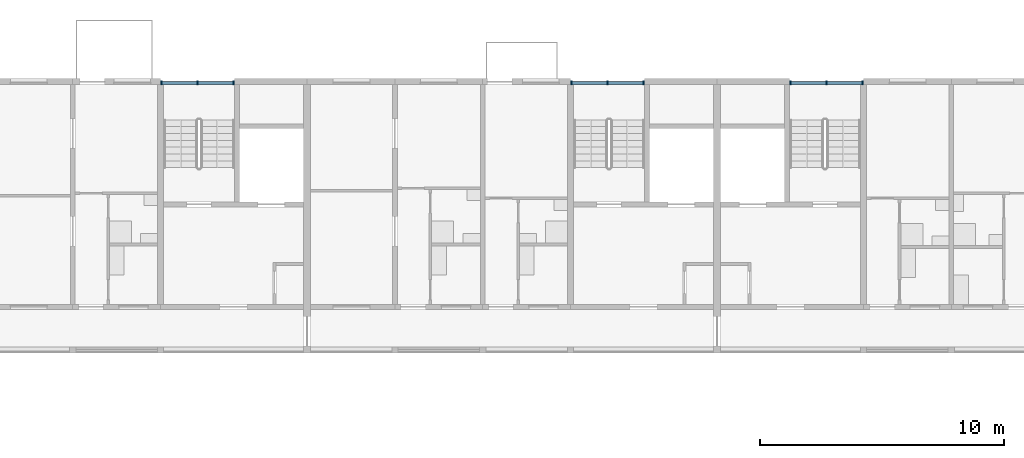
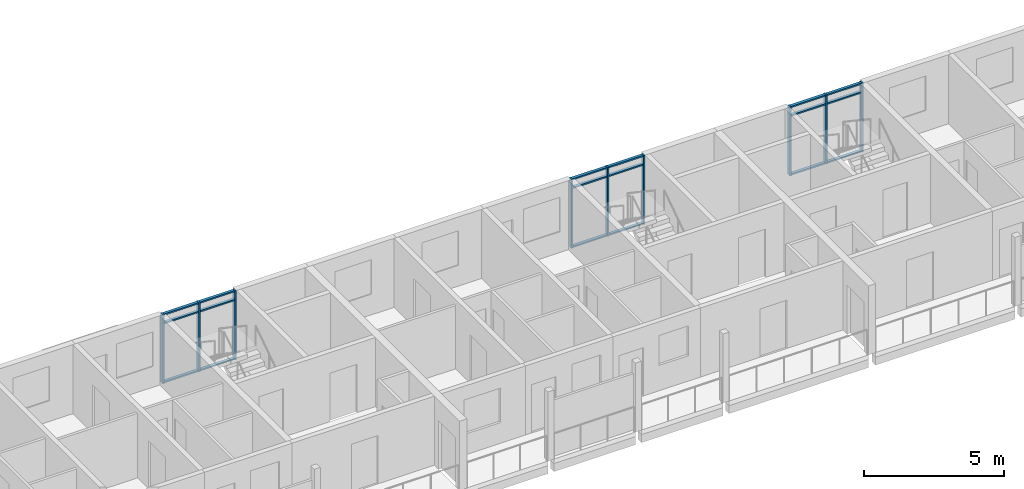
# One storey, part 19 of 93: 27 members, 3 elements without a shape of their own.
"""IFC4 building model written with IfcOpenShell, lengths in metres."""

from ifc_helpers import new_model, si_unit, direction, frame, origin, origin_2d, place, context, subcontext, project, spatial, rectangle, extrude, material, material_profile, profile_set, type_object, element, aggregate, save


model = new_model("IFC4")

# Units and contexts
model_context = context("Model", 3, precision=1e-05, world=origin(), true_north=direction((0.0, 1.0)))
body_context = subcontext(model_context, "Body", "Model", "MODEL_VIEW")
ifc_project = project(units=[si_unit("LENGTHUNIT", "METRE"), si_unit("AREAUNIT", "SQUARE_METRE"), si_unit("VOLUMEUNIT", "CUBIC_METRE"), si_unit("PLANEANGLEUNIT", "RADIAN"), si_unit("MASSUNIT", "GRAM", prefix="KILO")], contexts=[model_context])

# Site, building, storey
site_placement = place(None, origin())
site = spatial("IfcSite", under=ifc_project, at=site_placement, CompositionType="ELEMENT")
building_placement = place(site_placement, origin())
building = spatial("IfcBuilding", under=site, at=building_placement, Name="Ridgestep Commons", CompositionType="ELEMENT")
storey_placement = place(building_placement, frame((0.0, 0.0, 18.0)))
storey = spatial("IfcBuildingStorey", under=building, at=storey_placement, Name="L06", CompositionType="ELEMENT", Elevation=18.0)

# Curtain wall, members
ifc_material_1 = material(Name="Aluminium 6063-T6 and glass", Category="aluminium")
curtain_wall_type = type_object("IfcCurtainWallType", Name="Curtain wall stair strip", PredefinedType="NOTDEFINED", material=ifc_material_1)
curtain_wall_1_placement = place(storey_placement, origin())
curtain_wall_1 = element("IfcCurtainWall", 1, at=curtain_wall_1_placement, inside=storey, type_object=curtain_wall_type, Name="Curtain wall C1C level 06", PredefinedType="NOTDEFINED")
ifc_material_2 = material(Name="Aluminium 6063-T6", Category="aluminium")
ifc_material_profile_1 = material_profile(ifc_material_2, rectangle(XDim=0.159912109375, YDim=0.06005859375, at=origin_2d()), Name="Mullion 60 x 160")
ifc_profile_set_1 = profile_set([ifc_material_profile_1], Name="Aluminium 6063-T6")
member_type_1 = type_object("IfcMemberType", Name="Mullion 60 x 160", PredefinedType="MULLION", material=ifc_profile_set_1)
member_1_placement = place(storey_placement, frame((157.6298828125, 77.080078125, 0.0), z_axis=(0.0, 0.0, 1.0), x_axis=(0.0, 1.0, 0.0)))
member_1 = element("IfcMember", 2, at=member_1_placement, type_object=member_type_1, Name="CW1 mullion 1", PredefinedType="MULLION", context=body_context, shape_type="SweptSolid", body=[
    extrude(rectangle(XDim=0.159912109375, YDim=0.06005859375, at=origin_2d()), origin(), (0.0, 0.0, 1.0), 3.0),
])
member_2_placement = place(storey_placement, frame((159.112548828125, 77.080078125, 0.0), z_axis=(0.0, 0.0, 1.0), x_axis=(0.0, 1.0, 0.0)))
member_2 = element("IfcMember", 3, at=member_2_placement, type_object=member_type_1, Name="CW1 mullion 2", PredefinedType="MULLION", context=body_context, shape_type="SweptSolid", body=[
    extrude(rectangle(XDim=0.159912109375, YDim=0.06005859375, at=origin_2d()), origin(), (0.0, 0.0, 1.0), 3.0),
])
member_3_placement = place(storey_placement, frame((160.594970703125, 77.080078125, 0.0), z_axis=(0.0, 0.0, 1.0), x_axis=(0.0, 1.0, 0.0)))
member_3 = element("IfcMember", 4, at=member_3_placement, type_object=member_type_1, Name="CW1 mullion 3", PredefinedType="MULLION", context=body_context, shape_type="SweptSolid", body=[
    extrude(rectangle(XDim=0.159912109375, YDim=0.06005859375, at=origin_2d()), origin(), (0.0, 0.0, 1.0), 3.0),
])

curtain_wall_2_placement = place(storey_placement, origin())
curtain_wall_2 = element("IfcCurtainWall", 5, at=curtain_wall_2_placement, inside=storey, type_object=curtain_wall_type, Name="Curtain wall C2C level 06", PredefinedType="NOTDEFINED")
member_4_placement = place(storey_placement, frame((174.429931640625, 77.080078125, 0.0), z_axis=(0.0, 0.0, 1.0), x_axis=(0.0, 1.0, 0.0)))
member_4 = element("IfcMember", 6, at=member_4_placement, type_object=member_type_1, Name="CW1 mullion 1", PredefinedType="MULLION", context=body_context, shape_type="SweptSolid", body=[
    extrude(rectangle(XDim=0.159912109375, YDim=0.06005859375, at=origin_2d()), origin(), (0.0, 0.0, 1.0), 3.0),
])
member_5_placement = place(storey_placement, frame((175.91259765625, 77.080078125, 0.0), z_axis=(0.0, 0.0, 1.0), x_axis=(0.0, 1.0, 0.0)))
member_5 = element("IfcMember", 7, at=member_5_placement, type_object=member_type_1, Name="CW1 mullion 2", PredefinedType="MULLION", context=body_context, shape_type="SweptSolid", body=[
    extrude(rectangle(XDim=0.159912109375, YDim=0.06005859375, at=origin_2d()), origin(), (0.0, 0.0, 1.0), 3.0),
])
member_6_placement = place(storey_placement, frame((177.39501953125, 77.080078125, 0.0), z_axis=(0.0, 0.0, 1.0), x_axis=(0.0, 1.0, 0.0)))
member_6 = element("IfcMember", 8, at=member_6_placement, type_object=member_type_1, Name="CW1 mullion 3", PredefinedType="MULLION", context=body_context, shape_type="SweptSolid", body=[
    extrude(rectangle(XDim=0.159912109375, YDim=0.06005859375, at=origin_2d()), origin(), (0.0, 0.0, 1.0), 3.0),
])

curtain_wall_3_placement = place(storey_placement, origin())
curtain_wall_3 = element("IfcCurtainWall", 9, at=curtain_wall_3_placement, inside=storey, type_object=curtain_wall_type, Name="Curtain wall C3C level 06", PredefinedType="NOTDEFINED")
member_7_placement = place(storey_placement, frame((183.405029296875, 77.080078125, 0.0), z_axis=(0.0, 0.0, 1.0), x_axis=(0.0, 1.0, 0.0)))
member_7 = element("IfcMember", 10, at=member_7_placement, type_object=member_type_1, Name="CW1 mullion 1", PredefinedType="MULLION", context=body_context, shape_type="SweptSolid", body=[
    extrude(rectangle(XDim=0.159912109375, YDim=0.06005859375, at=origin_2d()), origin(), (0.0, 0.0, 1.0), 3.0),
])
member_8_placement = place(storey_placement, frame((184.887451171875, 77.080078125, 0.0), z_axis=(0.0, 0.0, 1.0), x_axis=(0.0, 1.0, 0.0)))
member_8 = element("IfcMember", 11, at=member_8_placement, type_object=member_type_1, Name="CW1 mullion 2", PredefinedType="MULLION", context=body_context, shape_type="SweptSolid", body=[
    extrude(rectangle(XDim=0.159912109375, YDim=0.06005859375, at=origin_2d()), origin(), (0.0, 0.0, 1.0), 3.0),
])
member_9_placement = place(storey_placement, frame((186.3701171875, 77.080078125, 0.0), z_axis=(0.0, 0.0, 1.0), x_axis=(0.0, 1.0, 0.0)))
member_9 = element("IfcMember", 12, at=member_9_placement, type_object=member_type_1, Name="CW1 mullion 3", PredefinedType="MULLION", context=body_context, shape_type="SweptSolid", body=[
    extrude(rectangle(XDim=0.159912109375, YDim=0.06005859375, at=origin_2d()), origin(), (0.0, 0.0, 1.0), 3.0),
])

# Member
ifc_material_3 = material(Name="Aluminium 6063-T6", Category="aluminium")
ifc_material_profile_2 = material_profile(ifc_material_3, rectangle(XDim=0.1201171875, YDim=0.06005859375, at=origin_2d()), Name="Transom 60 x 120")
ifc_profile_set_2 = profile_set([ifc_material_profile_2], Name="Aluminium 6063-T6")
member_type_2 = type_object("IfcMemberType", Name="Transom 60 x 120", PredefinedType="USERDEFINED", material=ifc_profile_set_2)
member_10_placement = place(storey_placement, frame((157.659912109375, 77.080078125, 0.030029296875), z_axis=(1.0, 0.0, 0.0), x_axis=(0.0, 1.0, 0.0)))
member_10 = element("IfcMember", 13, at=member_10_placement, type_object=member_type_2, Name="CW1 transom 1.1", ObjectType="TRANSOM", PredefinedType="USERDEFINED", context=body_context, shape_type="SweptSolid", body=[
    extrude(rectangle(XDim=0.1201171875, YDim=0.06005859375, at=origin_2d()), origin(), (0.0, 0.0, 1.0), 1.422607421875),
])

member_11_placement = place(storey_placement, frame((157.659912109375, 77.080078125, 2.590087890625), z_axis=(1.0, 0.0, 0.0), x_axis=(0.0, 1.0, 0.0)))
member_11 = element("IfcMember", 14, at=member_11_placement, type_object=member_type_2, Name="CW1 transom 1.2", ObjectType="TRANSOM", PredefinedType="USERDEFINED", context=body_context, shape_type="SweptSolid", body=[
    extrude(rectangle(XDim=0.1201171875, YDim=0.06005859375, at=origin_2d()), origin(), (0.0, 0.0, 1.0), 1.422607421875),
])

member_12_placement = place(storey_placement, frame((157.659912109375, 77.080078125, 2.969970703125), z_axis=(1.0, 0.0, 0.0), x_axis=(0.0, 1.0, 0.0)))
member_12 = element("IfcMember", 15, at=member_12_placement, type_object=member_type_2, Name="CW1 transom 1.3", ObjectType="TRANSOM", PredefinedType="USERDEFINED", context=body_context, shape_type="SweptSolid", body=[
    extrude(rectangle(XDim=0.1201171875, YDim=0.06005859375, at=origin_2d()), origin(), (0.0, 0.0, 1.0), 1.422607421875),
])

member_13_placement = place(storey_placement, frame((159.142578125, 77.080078125, 0.030029296875), z_axis=(1.0, 0.0, 0.0), x_axis=(0.0, 1.0, 0.0)))
member_13 = element("IfcMember", 16, at=member_13_placement, type_object=member_type_2, Name="CW1 transom 2.1", ObjectType="TRANSOM", PredefinedType="USERDEFINED", context=body_context, shape_type="SweptSolid", body=[
    extrude(rectangle(XDim=0.1201171875, YDim=0.06005859375, at=origin_2d()), origin(), (0.0, 0.0, 1.0), 1.42236328125),
])

member_14_placement = place(storey_placement, frame((159.142578125, 77.080078125, 2.590087890625), z_axis=(1.0, 0.0, 0.0), x_axis=(0.0, 1.0, 0.0)))
member_14 = element("IfcMember", 17, at=member_14_placement, type_object=member_type_2, Name="CW1 transom 2.2", ObjectType="TRANSOM", PredefinedType="USERDEFINED", context=body_context, shape_type="SweptSolid", body=[
    extrude(rectangle(XDim=0.1201171875, YDim=0.06005859375, at=origin_2d()), origin(), (0.0, 0.0, 1.0), 1.42236328125),
])

member_15_placement = place(storey_placement, frame((159.142578125, 77.080078125, 2.969970703125), z_axis=(1.0, 0.0, 0.0), x_axis=(0.0, 1.0, 0.0)))
member_15 = element("IfcMember", 18, at=member_15_placement, type_object=member_type_2, Name="CW1 transom 2.3", ObjectType="TRANSOM", PredefinedType="USERDEFINED", context=body_context, shape_type="SweptSolid", body=[
    extrude(rectangle(XDim=0.1201171875, YDim=0.06005859375, at=origin_2d()), origin(), (0.0, 0.0, 1.0), 1.42236328125),
])

aggregate(curtain_wall_1, [member_1, member_2, member_3, member_10, member_11, member_12, member_13, member_14, member_15])

member_16_placement = place(storey_placement, frame((174.4599609375, 77.080078125, 0.030029296875), z_axis=(1.0, 0.0, 0.0), x_axis=(0.0, 1.0, 0.0)))
member_16 = element("IfcMember", 19, at=member_16_placement, type_object=member_type_2, Name="CW1 transom 1.1", ObjectType="TRANSOM", PredefinedType="USERDEFINED", context=body_context, shape_type="SweptSolid", body=[
    extrude(rectangle(XDim=0.1201171875, YDim=0.06005859375, at=origin_2d()), origin(), (0.0, 0.0, 1.0), 1.422607421875),
])

member_17_placement = place(storey_placement, frame((174.4599609375, 77.080078125, 2.590087890625), z_axis=(1.0, 0.0, 0.0), x_axis=(0.0, 1.0, 0.0)))
member_17 = element("IfcMember", 20, at=member_17_placement, type_object=member_type_2, Name="CW1 transom 1.2", ObjectType="TRANSOM", PredefinedType="USERDEFINED", context=body_context, shape_type="SweptSolid", body=[
    extrude(rectangle(XDim=0.1201171875, YDim=0.06005859375, at=origin_2d()), origin(), (0.0, 0.0, 1.0), 1.422607421875),
])

member_18_placement = place(storey_placement, frame((174.4599609375, 77.080078125, 2.969970703125), z_axis=(1.0, 0.0, 0.0), x_axis=(0.0, 1.0, 0.0)))
member_18 = element("IfcMember", 21, at=member_18_placement, type_object=member_type_2, Name="CW1 transom 1.3", ObjectType="TRANSOM", PredefinedType="USERDEFINED", context=body_context, shape_type="SweptSolid", body=[
    extrude(rectangle(XDim=0.1201171875, YDim=0.06005859375, at=origin_2d()), origin(), (0.0, 0.0, 1.0), 1.422607421875),
])

member_19_placement = place(storey_placement, frame((175.9423828125, 77.080078125, 0.030029296875), z_axis=(1.0, 0.0, 0.0), x_axis=(0.0, 1.0, 0.0)))
member_19 = element("IfcMember", 22, at=member_19_placement, type_object=member_type_2, Name="CW1 transom 2.1", ObjectType="TRANSOM", PredefinedType="USERDEFINED", context=body_context, shape_type="SweptSolid", body=[
    extrude(rectangle(XDim=0.1201171875, YDim=0.06005859375, at=origin_2d()), origin(), (0.0, 0.0, 1.0), 1.422607421875),
])

member_20_placement = place(storey_placement, frame((175.9423828125, 77.080078125, 2.590087890625), z_axis=(1.0, 0.0, 0.0), x_axis=(0.0, 1.0, 0.0)))
member_20 = element("IfcMember", 23, at=member_20_placement, type_object=member_type_2, Name="CW1 transom 2.2", ObjectType="TRANSOM", PredefinedType="USERDEFINED", context=body_context, shape_type="SweptSolid", body=[
    extrude(rectangle(XDim=0.1201171875, YDim=0.06005859375, at=origin_2d()), origin(), (0.0, 0.0, 1.0), 1.422607421875),
])

member_21_placement = place(storey_placement, frame((175.9423828125, 77.080078125, 2.969970703125), z_axis=(1.0, 0.0, 0.0), x_axis=(0.0, 1.0, 0.0)))
member_21 = element("IfcMember", 24, at=member_21_placement, type_object=member_type_2, Name="CW1 transom 2.3", ObjectType="TRANSOM", PredefinedType="USERDEFINED", context=body_context, shape_type="SweptSolid", body=[
    extrude(rectangle(XDim=0.1201171875, YDim=0.06005859375, at=origin_2d()), origin(), (0.0, 0.0, 1.0), 1.422607421875),
])

aggregate(curtain_wall_2, [member_4, member_5, member_6, member_16, member_17, member_18, member_19, member_20, member_21])

member_22_placement = place(storey_placement, frame((183.43505859375, 77.080078125, 0.030029296875), z_axis=(1.0, 0.0, 0.0), x_axis=(0.0, 1.0, 0.0)))
member_22 = element("IfcMember", 25, at=member_22_placement, type_object=member_type_2, Name="CW1 transom 1.1", ObjectType="TRANSOM", PredefinedType="USERDEFINED", context=body_context, shape_type="SweptSolid", body=[
    extrude(rectangle(XDim=0.1201171875, YDim=0.06005859375, at=origin_2d()), origin(), (0.0, 0.0, 1.0), 1.42236328125),
])

member_23_placement = place(storey_placement, frame((183.43505859375, 77.080078125, 2.590087890625), z_axis=(1.0, 0.0, 0.0), x_axis=(0.0, 1.0, 0.0)))
member_23 = element("IfcMember", 26, at=member_23_placement, type_object=member_type_2, Name="CW1 transom 1.2", ObjectType="TRANSOM", PredefinedType="USERDEFINED", context=body_context, shape_type="SweptSolid", body=[
    extrude(rectangle(XDim=0.1201171875, YDim=0.06005859375, at=origin_2d()), origin(), (0.0, 0.0, 1.0), 1.42236328125),
])

member_24_placement = place(storey_placement, frame((183.43505859375, 77.080078125, 2.969970703125), z_axis=(1.0, 0.0, 0.0), x_axis=(0.0, 1.0, 0.0)))
member_24 = element("IfcMember", 27, at=member_24_placement, type_object=member_type_2, Name="CW1 transom 1.3", ObjectType="TRANSOM", PredefinedType="USERDEFINED", context=body_context, shape_type="SweptSolid", body=[
    extrude(rectangle(XDim=0.1201171875, YDim=0.06005859375, at=origin_2d()), origin(), (0.0, 0.0, 1.0), 1.42236328125),
])

member_25_placement = place(storey_placement, frame((184.91748046875, 77.080078125, 0.030029296875), z_axis=(1.0, 0.0, 0.0), x_axis=(0.0, 1.0, 0.0)))
member_25 = element("IfcMember", 28, at=member_25_placement, type_object=member_type_2, Name="CW1 transom 2.1", ObjectType="TRANSOM", PredefinedType="USERDEFINED", context=body_context, shape_type="SweptSolid", body=[
    extrude(rectangle(XDim=0.1201171875, YDim=0.06005859375, at=origin_2d()), origin(), (0.0, 0.0, 1.0), 1.422607421875),
])

member_26_placement = place(storey_placement, frame((184.91748046875, 77.080078125, 2.590087890625), z_axis=(1.0, 0.0, 0.0), x_axis=(0.0, 1.0, 0.0)))
member_26 = element("IfcMember", 29, at=member_26_placement, type_object=member_type_2, Name="CW1 transom 2.2", ObjectType="TRANSOM", PredefinedType="USERDEFINED", context=body_context, shape_type="SweptSolid", body=[
    extrude(rectangle(XDim=0.1201171875, YDim=0.06005859375, at=origin_2d()), origin(), (0.0, 0.0, 1.0), 1.422607421875),
])

member_27_placement = place(storey_placement, frame((184.91748046875, 77.080078125, 2.969970703125), z_axis=(1.0, 0.0, 0.0), x_axis=(0.0, 1.0, 0.0)))
member_27 = element("IfcMember", 30, at=member_27_placement, type_object=member_type_2, Name="CW1 transom 2.3", ObjectType="TRANSOM", PredefinedType="USERDEFINED", context=body_context, shape_type="SweptSolid", body=[
    extrude(rectangle(XDim=0.1201171875, YDim=0.06005859375, at=origin_2d()), origin(), (0.0, 0.0, 1.0), 1.422607421875),
])

aggregate(curtain_wall_3, [member_7, member_8, member_9, member_22, member_23, member_24, member_25, member_26, member_27])

save(model, "model.ifc")
